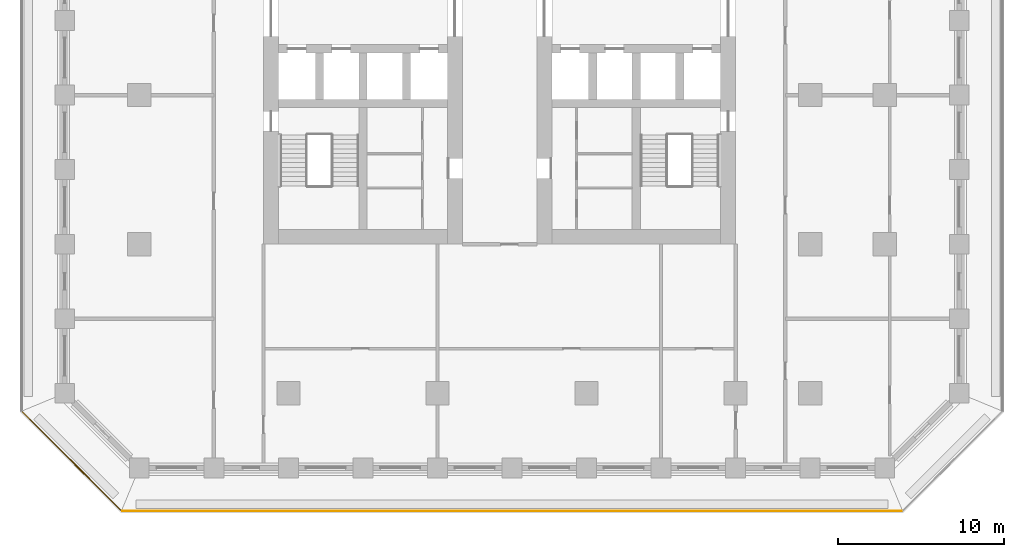
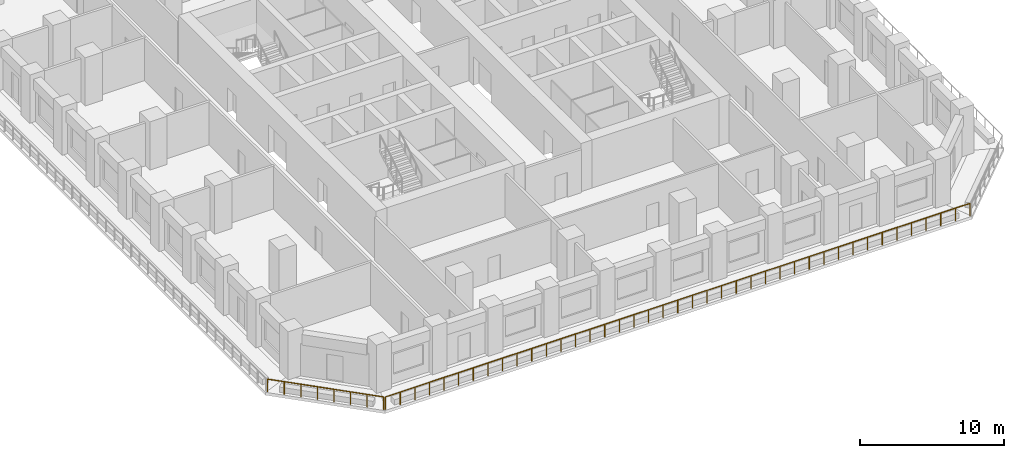
# One storey, part 9 of 17: 2 railings.
"""IFC4 building model written with IfcOpenShell, lengths in metres."""

from ifc_helpers import new_model, si_unit, direction, frame, origin, origin_2d, place, context, subcontext, project, spatial, circle, extrude, material, type_object, element, save


model = new_model("IFC4")

# Units and contexts
model_context = context("Model", 3, precision=1e-05, world=origin(), true_north=direction((0.0, 1.0)))
body_context = subcontext(model_context, "Body", "Model", "MODEL_VIEW")
ifc_project = project(units=[si_unit("LENGTHUNIT", "METRE"), si_unit("AREAUNIT", "SQUARE_METRE"), si_unit("VOLUMEUNIT", "CUBIC_METRE"), si_unit("PLANEANGLEUNIT", "RADIAN"), si_unit("MASSUNIT", "GRAM", prefix="KILO")], contexts=[model_context])

# Site, building, storey
site_placement = place(None, origin())
site = spatial("IfcSite", under=ifc_project, at=site_placement, CompositionType="ELEMENT")
building_placement = place(site_placement, origin())
building = spatial("IfcBuilding", under=site, at=building_placement, Name="Corbel Stack Research Tower", CompositionType="ELEMENT")
storey_placement = place(building_placement, frame((0.0, 0.0, 94.300048828125)))
storey = spatial("IfcBuildingStorey", under=building, at=storey_placement, Name="L21", CompositionType="ELEMENT", Elevation=94.300048828125)

# Railings
ifc_material = material(Name="Powder-coated steel guard", Category="steel")
railing_type = type_object("IfcRailingType", Name="Steel and glass guard 1100", PredefinedType="GUARDRAIL", material=ifc_material)
railing_1_placement = place(storey_placement, frame((-19.00537109375, -25.10009765625, 0.0)))
element("IfcRailing", 1, at=railing_1_placement, inside=storey, type_object=railing_type, Name="Loggia guard L21 S", PredefinedType="GUARDRAIL", context=body_context, shape_type="SweptSolid", body=[
    extrude(circle(Radius=0.02392578125, at=origin_2d()), frame((0.0, 0.0, 1.076171875), z_axis=(1.0, 0.0, 0.0), x_axis=(0.0, 1.0, 0.0)), (0.0, 0.0, 1.0), 47.0107421875),
    extrude(circle(Radius=0.02099609375, at=origin_2d()), origin(), (0.0, 0.0, 1.0), 1.052001953125),
    extrude(circle(Radius=0.02099609375, at=origin_2d()), frame((1.17529296875, 0.0, 0.0)), (0.0, 0.0, 1.0), 1.052001953125),
    extrude(circle(Radius=0.02099609375, at=origin_2d()), frame((2.3505859375, 0.0, 0.0)), (0.0, 0.0, 1.0), 1.052001953125),
    extrude(circle(Radius=0.02099609375, at=origin_2d()), frame((3.52587890625, 0.0, 0.0)), (0.0, 0.0, 1.0), 1.052001953125),
    extrude(circle(Radius=0.02099609375, at=origin_2d()), frame((4.701171875, 0.0, 0.0)), (0.0, 0.0, 1.0), 1.052001953125),
    extrude(circle(Radius=0.02099609375, at=origin_2d()), frame((5.87646484375, 0.0, 0.0)), (0.0, 0.0, 1.0), 1.052001953125),
    extrude(circle(Radius=0.02099609375, at=origin_2d()), frame((7.051513671875, 0.0, 0.0)), (0.0, 0.0, 1.0), 1.052001953125),
    extrude(circle(Radius=0.02099609375, at=origin_2d()), frame((8.226806640625, 0.0, 0.0)), (0.0, 0.0, 1.0), 1.052001953125),
    extrude(circle(Radius=0.02099609375, at=origin_2d()), frame((9.402099609375, 0.0, 0.0)), (0.0, 0.0, 1.0), 1.052001953125),
    extrude(circle(Radius=0.02099609375, at=origin_2d()), frame((10.577392578125, 0.0, 0.0)), (0.0, 0.0, 1.0), 1.052001953125),
    extrude(circle(Radius=0.02099609375, at=origin_2d()), frame((11.752685546875, 0.0, 0.0)), (0.0, 0.0, 1.0), 1.052001953125),
    extrude(circle(Radius=0.02099609375, at=origin_2d()), frame((12.927978515625, 0.0, 0.0)), (0.0, 0.0, 1.0), 1.052001953125),
    extrude(circle(Radius=0.02099609375, at=origin_2d()), frame((14.103271484375, 0.0, 0.0)), (0.0, 0.0, 1.0), 1.052001953125),
    extrude(circle(Radius=0.02099609375, at=origin_2d()), frame((15.278564453125, 0.0, 0.0)), (0.0, 0.0, 1.0), 1.052001953125),
    extrude(circle(Radius=0.02099609375, at=origin_2d()), frame((16.453857421875, 0.0, 0.0)), (0.0, 0.0, 1.0), 1.052001953125),
    extrude(circle(Radius=0.02099609375, at=origin_2d()), frame((17.62890625, 0.0, 0.0)), (0.0, 0.0, 1.0), 1.052001953125),
    extrude(circle(Radius=0.02099609375, at=origin_2d()), frame((18.80419921875, 0.0, 0.0)), (0.0, 0.0, 1.0), 1.052001953125),
    extrude(circle(Radius=0.02099609375, at=origin_2d()), frame((19.9794921875, 0.0, 0.0)), (0.0, 0.0, 1.0), 1.052001953125),
    extrude(circle(Radius=0.02099609375, at=origin_2d()), frame((21.15478515625, 0.0, 0.0)), (0.0, 0.0, 1.0), 1.052001953125),
    extrude(circle(Radius=0.02099609375, at=origin_2d()), frame((22.330078125, 0.0, 0.0)), (0.0, 0.0, 1.0), 1.052001953125),
    extrude(circle(Radius=0.02099609375, at=origin_2d()), frame((23.50537109375, 0.0, 0.0)), (0.0, 0.0, 1.0), 1.052001953125),
    extrude(circle(Radius=0.02099609375, at=origin_2d()), frame((24.6806640625, 0.0, 0.0)), (0.0, 0.0, 1.0), 1.052001953125),
    extrude(circle(Radius=0.02099609375, at=origin_2d()), frame((25.85595703125, 0.0, 0.0)), (0.0, 0.0, 1.0), 1.052001953125),
    extrude(circle(Radius=0.02099609375, at=origin_2d()), frame((27.03125, 0.0, 0.0)), (0.0, 0.0, 1.0), 1.052001953125),
    extrude(circle(Radius=0.02099609375, at=origin_2d()), frame((28.20654296875, 0.0, 0.0)), (0.0, 0.0, 1.0), 1.052001953125),
    extrude(circle(Radius=0.02099609375, at=origin_2d()), frame((29.3818359375, 0.0, 0.0)), (0.0, 0.0, 1.0), 1.052001953125),
    extrude(circle(Radius=0.02099609375, at=origin_2d()), frame((30.556884765625, 0.0, 0.0)), (0.0, 0.0, 1.0), 1.052001953125),
    extrude(circle(Radius=0.02099609375, at=origin_2d()), frame((31.732177734375, 0.0, 0.0)), (0.0, 0.0, 1.0), 1.052001953125),
    extrude(circle(Radius=0.02099609375, at=origin_2d()), frame((32.907470703125, 0.0, 0.0)), (0.0, 0.0, 1.0), 1.052001953125),
    extrude(circle(Radius=0.02099609375, at=origin_2d()), frame((34.082763671875, 0.0, 0.0)), (0.0, 0.0, 1.0), 1.052001953125),
    extrude(circle(Radius=0.02099609375, at=origin_2d()), frame((35.258056640625, 0.0, 0.0)), (0.0, 0.0, 1.0), 1.052001953125),
    extrude(circle(Radius=0.02099609375, at=origin_2d()), frame((36.433349609375, 0.0, 0.0)), (0.0, 0.0, 1.0), 1.052001953125),
    extrude(circle(Radius=0.02099609375, at=origin_2d()), frame((37.608642578125, 0.0, 0.0)), (0.0, 0.0, 1.0), 1.052001953125),
    extrude(circle(Radius=0.02099609375, at=origin_2d()), frame((38.783935546875, 0.0, 0.0)), (0.0, 0.0, 1.0), 1.052001953125),
    extrude(circle(Radius=0.02099609375, at=origin_2d()), frame((39.959228515625, 0.0, 0.0)), (0.0, 0.0, 1.0), 1.052001953125),
    extrude(circle(Radius=0.02099609375, at=origin_2d()), frame((41.13427734375, 0.0, 0.0)), (0.0, 0.0, 1.0), 1.052001953125),
    extrude(circle(Radius=0.02099609375, at=origin_2d()), frame((42.3095703125, 0.0, 0.0)), (0.0, 0.0, 1.0), 1.052001953125),
    extrude(circle(Radius=0.02099609375, at=origin_2d()), frame((43.48486328125, 0.0, 0.0)), (0.0, 0.0, 1.0), 1.052001953125),
    extrude(circle(Radius=0.02099609375, at=origin_2d()), frame((44.66015625, 0.0, 0.0)), (0.0, 0.0, 1.0), 1.052001953125),
    extrude(circle(Radius=0.02099609375, at=origin_2d()), frame((45.83544921875, 0.0, 0.0)), (0.0, 0.0, 1.0), 1.052001953125),
    extrude(circle(Radius=0.02099609375, at=origin_2d()), frame((47.0107421875, 0.0, 0.0)), (0.0, 0.0, 1.0), 1.052001953125),
])
railing_2_placement = place(storey_placement, frame((-25.04931640625, -19.127685546875, 0.0)))
element("IfcRailing", 2, at=railing_2_placement, inside=storey, type_object=railing_type, Name="Loggia guard L21 SW", PredefinedType="GUARDRAIL", context=body_context, shape_type="SweptSolid", body=[
    extrude(circle(Radius=0.02392578125, at=origin_2d()), frame((0.0, 0.0, 1.076171875), z_axis=(0.707106781187, -0.707106781187, 0.0), x_axis=(0.707106781187, 0.707106781187, 0.0)), (0.0, 0.0, 1.0), 8.37451171875),
    extrude(circle(Radius=0.02099609375, at=origin_2d()), origin(), (0.0, 0.0, 1.0), 1.052001953125),
    extrude(circle(Radius=0.02099609375, at=origin_2d()), frame((0.845947265625, -0.845947265625, 0.0)), (0.0, 0.0, 1.0), 1.052001953125),
    extrude(circle(Radius=0.02099609375, at=origin_2d()), frame((1.69189453125, -1.69189453125, 0.0)), (0.0, 0.0, 1.0), 1.052001953125),
    extrude(circle(Radius=0.02099609375, at=origin_2d()), frame((2.537841796875, -2.537841796875, 0.0)), (0.0, 0.0, 1.0), 1.052001953125),
    extrude(circle(Radius=0.02099609375, at=origin_2d()), frame((3.3837890625, -3.3837890625, 0.0)), (0.0, 0.0, 1.0), 1.052001953125),
    extrude(circle(Radius=0.02099609375, at=origin_2d()), frame((4.229736328125, -4.229736328125, 0.0)), (0.0, 0.0, 1.0), 1.052001953125),
    extrude(circle(Radius=0.02099609375, at=origin_2d()), frame((5.07568359375, -5.07568359375, 0.0)), (0.0, 0.0, 1.0), 1.052001953125),
    extrude(circle(Radius=0.02099609375, at=origin_2d()), frame((5.921630859375, -5.921630859375, 0.0)), (0.0, 0.0, 1.0), 1.052001953125),
])

save(model, "model.ifc")
